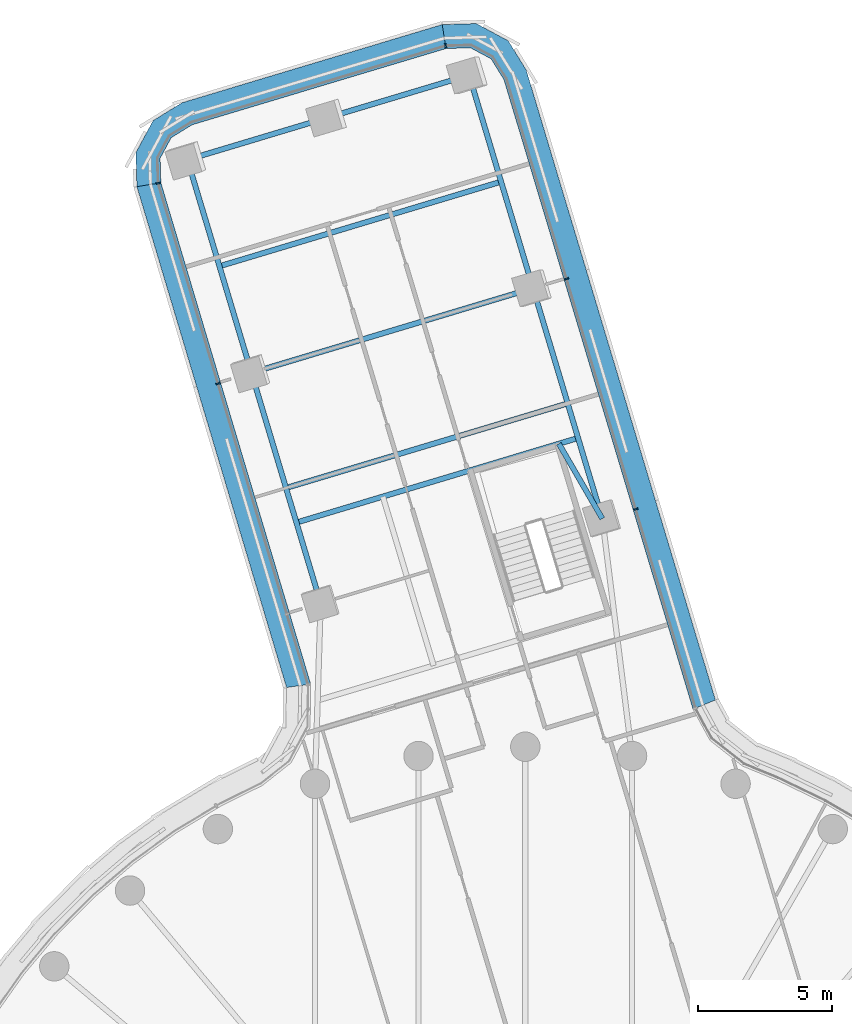
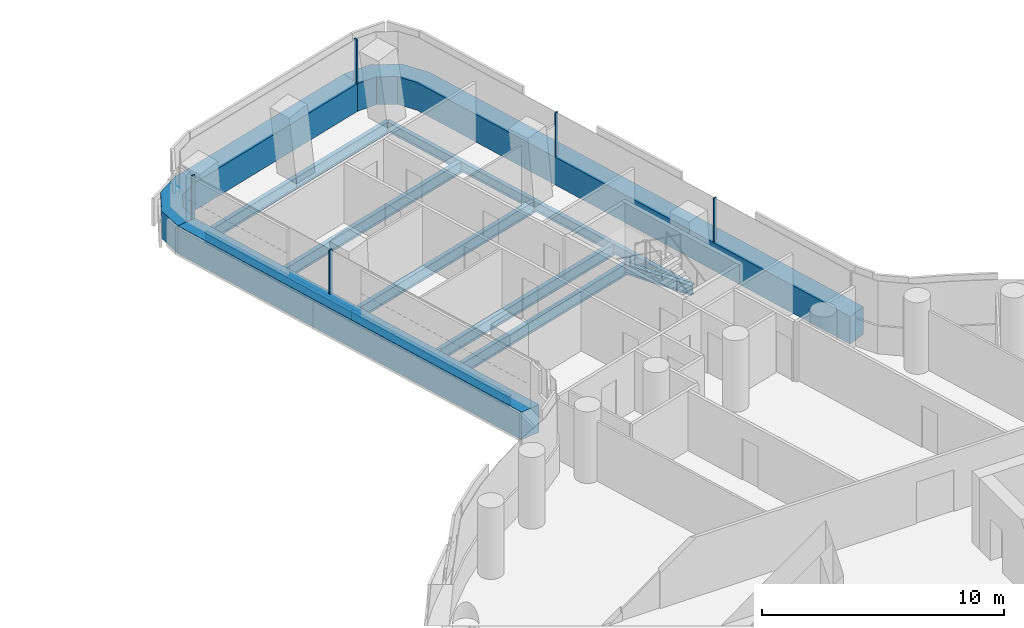
# One storey, part 15 of 32: 11 beams, 8 members, 3 elements without a shape of their own.
"""IFC4 building model written with IfcOpenShell, lengths in metres."""

from ifc_helpers import new_model, si_unit, direction, frame, origin, origin_2d, place, context, subcontext, project, spatial, polyline, rectangle, i_section, outline, extrude, material, layer, layer_set, material_profile, profile_set, type_object, element, aggregate, save


model = new_model("IFC4")

# Units and contexts
model_context = context("Model", 3, precision=1e-05, world=origin(), true_north=direction((0.0, 1.0)))
body_context = subcontext(model_context, "Body", "Model", "MODEL_VIEW")
ifc_project = project(units=[si_unit("LENGTHUNIT", "METRE"), si_unit("AREAUNIT", "SQUARE_METRE"), si_unit("VOLUMEUNIT", "CUBIC_METRE"), si_unit("PLANEANGLEUNIT", "RADIAN"), si_unit("MASSUNIT", "GRAM", prefix="KILO")], contexts=[model_context])

# Site, building, storey
site_placement = place(None, origin())
site = spatial("IfcSite", under=ifc_project, at=site_placement, CompositionType="ELEMENT")
building_placement = place(site_placement, origin())
building = spatial("IfcBuilding", under=site, at=building_placement, Name="Tamarind Cross Interchange Tower", CompositionType="ELEMENT")
storey_placement = place(building_placement, frame((0.0, 0.0, 94.75)))
storey = spatial("IfcBuildingStorey", under=building, at=storey_placement, Name="L22", CompositionType="ELEMENT", Elevation=94.75)

# Beams
ifc_material_1 = material(Name="Steel Q355B", Category="steel")
ifc_material_profile_1 = material_profile(ifc_material_1, i_section(OverallWidth=0.198974609375, OverallDepth=0.49609375, WebThickness=0.009033203125, FlangeThickness=0.013916015625, FilletRadius=0.012939453125, at=origin_2d()), Name="HN 496x199x9x14")
ifc_profile_set_1 = profile_set([ifc_material_profile_1], Name="Steel Q355B")
beam_type_1 = type_object("IfcBeamType", Name="Composite beam HN 496x199x9x14 Q355B", PredefinedType="BEAM", material=ifc_profile_set_1)
beam_1_placement = place(storey_placement, frame((-2.10205078125, 48.119873046875, -0.387939453125), z_axis=(0.287635904995, -0.957739832187, 0.0), x_axis=(0.957739832187, 0.287635904995, 0.0)))
element("IfcBeam", 1, at=beam_1_placement, inside=storey, type_object=beam_type_1, Name="Beam N-edgeem5", PredefinedType="BEAM", context=body_context, shape_type="SweptSolid", body=[
    extrude(i_section(OverallWidth=0.198974609375, OverallDepth=0.49609375, WebThickness=0.009033203125, FlangeThickness=0.013916015625, FilletRadius=0.012939453125, at=origin_2d()), origin(), (0.0, 0.0, 1.0), 8.320556640625),
])
beam_2_placement = place(storey_placement, frame((0.291259765625, 40.15087890625, -0.387939453125), z_axis=(0.287651491037, -0.957735151127, 0.0), x_axis=(0.957735151127, 0.287651491037, 0.0)))
element("IfcBeam", 2, at=beam_2_placement, inside=storey, type_object=beam_type_1, Name="Beam N-edgeem6", PredefinedType="BEAM", context=body_context, shape_type="SweptSolid", body=[
    extrude(i_section(OverallWidth=0.198974609375, OverallDepth=0.49609375, WebThickness=0.009033203125, FlangeThickness=0.013916015625, FilletRadius=0.012939453125, at=origin_2d()), origin(), (0.0, 0.0, 1.0), 9.0),
])
beam_3_placement = place(storey_placement, frame((-12.63720703125, 44.955810546875, -0.387939453125), z_axis=(0.287662818713, -0.957731748837, 0.0), x_axis=(0.957731748837, 0.287662818713, 0.0)))
element("IfcBeam", 3, at=beam_3_placement, inside=storey, type_object=beam_type_1, Name="Beam N-edgeep2", PredefinedType="BEAM", context=body_context, shape_type="SweptSolid", body=[
    extrude(i_section(OverallWidth=0.198974609375, OverallDepth=0.49609375, WebThickness=0.009033203125, FlangeThickness=0.013916015625, FilletRadius=0.012939453125, at=origin_2d()), origin(), (0.0, 0.0, 1.0), 8.32080078125),
])
beam_4_placement = place(storey_placement, frame((-10.24365234375, 36.98681640625, -0.387939453125), z_axis=(0.287626608604, -0.957742624103, 0.0), x_axis=(0.957742624103, 0.287626608604, 0.0)))
element("IfcBeam", 4, at=beam_4_placement, inside=storey, type_object=beam_type_1, Name="Beam N-edgeep3", PredefinedType="BEAM", context=body_context, shape_type="SweptSolid", body=[
    extrude(i_section(OverallWidth=0.198974609375, OverallDepth=0.49609375, WebThickness=0.009033203125, FlangeThickness=0.013916015625, FilletRadius=0.012939453125, at=origin_2d()), origin(), (0.0, 0.0, 1.0), 9.0),
])
beam_5_placement = place(storey_placement, frame((2.880126953125, 31.53125, -0.387939453125), z_axis=(-0.501609764699, 0.865094008741, 0.0), x_axis=(-0.865094008741, -0.501609764699, 0.0)))
element("IfcBeam", 5, at=beam_5_placement, inside=storey, type_object=beam_type_1, Name="Beam N-tr0", PredefinedType="BEAM", context=body_context, shape_type="SweptSolid", body=[
    extrude(i_section(OverallWidth=0.198974609375, OverallDepth=0.49609375, WebThickness=0.009033203125, FlangeThickness=0.013916015625, FilletRadius=0.012939453125, at=origin_2d()), origin(), (0.0, 0.0, 1.0), 3.238037109375),
])
ifc_material_profile_2 = material_profile(ifc_material_1, i_section(OverallWidth=0.199951171875, OverallDepth=0.60009765625, WebThickness=0.010986328125, FlangeThickness=0.01708984375, FilletRadius=0.012939453125, at=origin_2d()), Name="HN 600x200x11x17")
ifc_profile_set_2 = profile_set([ifc_material_profile_2], Name="Steel Q355B")
beam_type_2 = type_object("IfcBeamType", Name="Composite beam HN 600x200x11x17 Q355B", PredefinedType="BEAM", material=ifc_profile_set_2)
for number, where, z_axis, x_axis, name in (
    (6, (-2.10205078125, 48.119873046875, -0.43994140625), (-0.957738276707, -0.287641084217, 0.0), (0.287641084217, -0.957738276707, 0.0), "Beam N-tip0"),
    (7, (-7.36962890625, 46.537841796875, -0.43994140625), (-0.957738276707, -0.287641084217, 0.0), (0.287641084217, -0.957738276707, 0.0), "Beam N-tip1"),
):
    element("IfcBeam", number, at=place(storey_placement, frame(where, z_axis=z_axis, x_axis=x_axis)), inside=storey, type_object=beam_type_2, Name=name, PredefinedType="BEAM", context=body_context, shape_type="SweptSolid", body=[
        extrude(i_section(OverallWidth=0.199951171875, OverallDepth=0.60009765625, WebThickness=0.010986328125, FlangeThickness=0.01708984375, FilletRadius=0.012939453125, at=origin_2d()), origin(), (0.0, 0.0, 1.0), 5.5),
    ])
beam_6_placement = place(storey_placement, frame((1.97412109375, 34.548095703125, -0.43994140625), z_axis=(-0.957738276707, -0.287641084217, 0.0), x_axis=(0.287641084217, -0.957738276707, 0.0)))
element("IfcBeam", 8, at=beam_6_placement, inside=storey, type_object=beam_type_2, Name="Beam N-x334", PredefinedType="BEAM", context=body_context, shape_type="SweptSolid", body=[
    extrude(i_section(OverallWidth=0.199951171875, OverallDepth=0.60009765625, WebThickness=0.010986328125, FlangeThickness=0.01708984375, FilletRadius=0.012939453125, at=origin_2d()), origin(), (0.0, 0.0, 1.0), 11.0),
])
beam_7_placement = place(storey_placement, frame((0.291259765625, 40.15087890625, -0.43994140625), z_axis=(-0.957736440331, -0.287647198598, 0.0), x_axis=(0.287647198598, -0.957736440331, 0.0)))
element("IfcBeam", 9, at=beam_7_placement, inside=storey, type_object=beam_type_2, Name="Beam N-x393", PredefinedType="BEAM", context=body_context, shape_type="SweptSolid", body=[
    extrude(i_section(OverallWidth=0.199951171875, OverallDepth=0.60009765625, WebThickness=0.010986328125, FlangeThickness=0.01708984375, FilletRadius=0.012939453125, at=origin_2d()), origin(), (0.0, 0.0, 1.0), 10.999755859375),
])
for number, where, z_axis, x_axis, name in (
    (10, (1.585693359375, 35.841064453125, -0.43994140625), (-0.957738276707, -0.287641084217, 0.0), (0.287641084217, -0.957738276707, 0.0), "Beam N-x348"),
    (11, (-0.9052734375, 44.135498046875, -0.43994140625), (-0.957738276707, -0.287641084217, 0.0), (0.287641084217, -0.957738276707, 0.0), "Beam N-x435"),
):
    element("IfcBeam", number, at=place(storey_placement, frame(where, z_axis=z_axis, x_axis=x_axis)), inside=storey, type_object=beam_type_2, Name=name, PredefinedType="BEAM", context=body_context, shape_type="SweptSolid", body=[
        extrude(i_section(OverallWidth=0.199951171875, OverallDepth=0.60009765625, WebThickness=0.010986328125, FlangeThickness=0.01708984375, FilletRadius=0.012939453125, at=origin_2d()), origin(), (0.0, 0.0, 1.0), 11.0),
    ])

# Curtain wall, member
ifc_material_2 = material(Name="Aluminium 6063-T6", Category="aluminium")
ifc_layer = layer(ifc_material_2, 0.159912109375)
ifc_layer_set = layer_set([ifc_layer], Name="Aluminium 6063-T6")
curtain_wall_type = type_object("IfcCurtainWallType", Name="Office curtain wall, 9.0 m bays", PredefinedType="NOTDEFINED", material=ifc_layer_set)
curtain_wall_1_placement = place(storey_placement, origin())
curtain_wall_1 = element("IfcCurtainWall", 12, at=curtain_wall_1_placement, inside=storey, type_object=curtain_wall_type, Name="CWS-L22-00", PredefinedType="NOTDEFINED")
ifc_material_3 = material(Name="Aluminium and insulated spandrel panel", Category="aluminium")
member_type_1 = type_object("IfcMemberType", Name="Floor-edge blade transom", PredefinedType="USERDEFINED", material=ifc_material_3)
member_1_placement = place(storey_placement, origin())
member_1 = element("IfcMember", 13, at=member_1_placement, type_object=member_type_1, Name="CWT-L22-00", ObjectType="TRANSOM", PredefinedType="USERDEFINED", context=body_context, shape_type="SweptSolid", body=[
    extrude(outline(polyline([(-2.9638671875, 49.114013671875), (-12.465576171875, 46.26025390625), (-13.244384765625, 45.779052734375), (-13.65869140625, 45.009033203125), (-13.631103515625, 44.09375), (-14.52734375, 43.948974609375), (-14.5654296875, 45.22314453125), (-13.922607421875, 46.41796875), (-12.837890625, 47.088134765625), (-3.109375, 50.010009765625), (-2.9638671875, 49.114013671875)])), origin(), (0.0, 0.0, 1.0), 1.39990234375),
])

curtain_wall_2_placement = place(storey_placement, origin())
curtain_wall_2 = element("IfcCurtainWall", 14, at=curtain_wall_2_placement, inside=storey, type_object=curtain_wall_type, Name="CWS-L22-01", PredefinedType="NOTDEFINED")
member_2_placement = place(storey_placement, origin())
member_2 = element("IfcMember", 15, at=member_2_placement, type_object=member_type_1, Name="CWT-L22-01", ObjectType="TRANSOM", PredefinedType="USERDEFINED", context=body_context, shape_type="SweptSolid", body=[
    extrude(outline(polyline([(-13.631103515625, 44.09375), (-8.027099609375, 25.339111328125), (-8.928955078125, 25.2138671875), (-14.52734375, 43.948974609375), (-13.631103515625, 44.09375)])), origin(), (0.0, 0.0, 1.0), 1.39990234375),
])

curtain_wall_3_placement = place(storey_placement, origin())
curtain_wall_3 = element("IfcCurtainWall", 16, at=curtain_wall_3_placement, inside=storey, type_object=curtain_wall_type, Name="CWS-L22-15", PredefinedType="NOTDEFINED")
member_3_placement = place(storey_placement, origin())
member_3 = element("IfcMember", 17, at=member_3_placement, type_object=member_type_1, Name="CWT-L22-15", ObjectType="TRANSOM", PredefinedType="USERDEFINED", context=body_context, shape_type="SweptSolid", body=[
    extrude(outline(polyline([(6.27490234375, 24.3994140625), (-0.797607421875, 47.948486328125), (-1.27880859375, 48.72705078125), (-2.048828125, 49.141357421875), (-2.9638671875, 49.114013671875), (-3.109375, 50.010009765625), (-1.834716796875, 50.04833984375), (-0.639892578125, 49.4052734375), (0.0302734375, 48.32080078125), (7.110107421875, 24.747314453125), (6.27490234375, 24.3994140625)])), origin(), (0.0, 0.0, 1.0), 1.39990234375),
])

# Member
ifc_material_profile_3 = material_profile(ifc_material_2, rectangle(XDim=0.06005859375, YDim=0.159912109375, at=origin_2d()), Name="Mullion CW1")
ifc_profile_set_3 = profile_set([ifc_material_profile_3], Name="Aluminium 6063-T6")
member_type_2 = type_object("IfcMemberType", Name="Mullion CW1", PredefinedType="MULLION", material=ifc_profile_set_3)
member_4_placement = place(storey_placement, frame((-2.97998046875, 49.213623046875, 1.39990234375), z_axis=(0.0, 0.0, 1.0), x_axis=(-0.987089343026, -0.160170624285, 0.0)))
member_4 = element("IfcMember", 18, at=member_4_placement, type_object=member_type_2, Name="CWM-L22-00-00", PredefinedType="MULLION", context=body_context, shape_type="SweptSolid", body=[
    extrude(rectangle(XDim=0.06005859375, YDim=0.159912109375, at=origin_2d()), origin(), (0.0, 0.0, 1.0), 2.210205078125),
])

aggregate(curtain_wall_1, [member_4, member_1])

member_5_placement = place(storey_placement, frame((-13.730712890625, 44.07763671875, 1.39990234375), z_axis=(0.0, 0.0, 1.0), x_axis=(0.15948179223, -0.987200870111, 0.0)))
member_5 = element("IfcMember", 19, at=member_5_placement, type_object=member_type_2, Name="CWM-L22-01-00", PredefinedType="MULLION", context=body_context, shape_type="SweptSolid", body=[
    extrude(rectangle(XDim=0.06005859375, YDim=0.159912109375, at=origin_2d()), origin(), (0.0, 0.0, 1.0), 2.210205078125),
])

member_6_placement = place(storey_placement, frame((-11.4912109375, 36.582763671875, 1.39990234375), z_axis=(0.0, 0.0, 1.0), x_axis=(0.286304452373, -0.958138695884, 0.0)))
member_6 = element("IfcMember", 20, at=member_6_placement, type_object=member_type_2, Name="CWM-L22-01-01", PredefinedType="MULLION", context=body_context, shape_type="SweptSolid", body=[
    extrude(rectangle(XDim=0.06005859375, YDim=0.159912109375, at=origin_2d()), origin(), (0.0, 0.0, 1.0), 2.210205078125),
])

aggregate(curtain_wall_2, [member_5, member_6, member_2])

member_7_placement = place(storey_placement, frame((4.131591796875, 31.883544921875, 1.39990234375), z_axis=(0.0, 0.0, 1.0), x_axis=(-0.287641355717, 0.957738195167, 0.0)))
member_7 = element("IfcMember", 21, at=member_7_placement, type_object=member_type_2, Name="CWM-L22-15-01", PredefinedType="MULLION", context=body_context, shape_type="SweptSolid", body=[
    extrude(rectangle(XDim=0.06005859375, YDim=0.159912109375, at=origin_2d()), origin(), (0.0, 0.0, 1.0), 2.210205078125),
])

member_8_placement = place(storey_placement, frame((1.54345703125, 40.50146484375, 1.39990234375), z_axis=(0.0, 0.0, 1.0), x_axis=(-0.287641355717, 0.957738195167, 0.0)))
member_8 = element("IfcMember", 22, at=member_8_placement, type_object=member_type_2, Name="CWM-L22-15-02", PredefinedType="MULLION", context=body_context, shape_type="SweptSolid", body=[
    extrude(rectangle(XDim=0.06005859375, YDim=0.159912109375, at=origin_2d()), origin(), (0.0, 0.0, 1.0), 2.210205078125),
])

aggregate(curtain_wall_3, [member_7, member_8, member_3])

save(model, "model.ifc")
